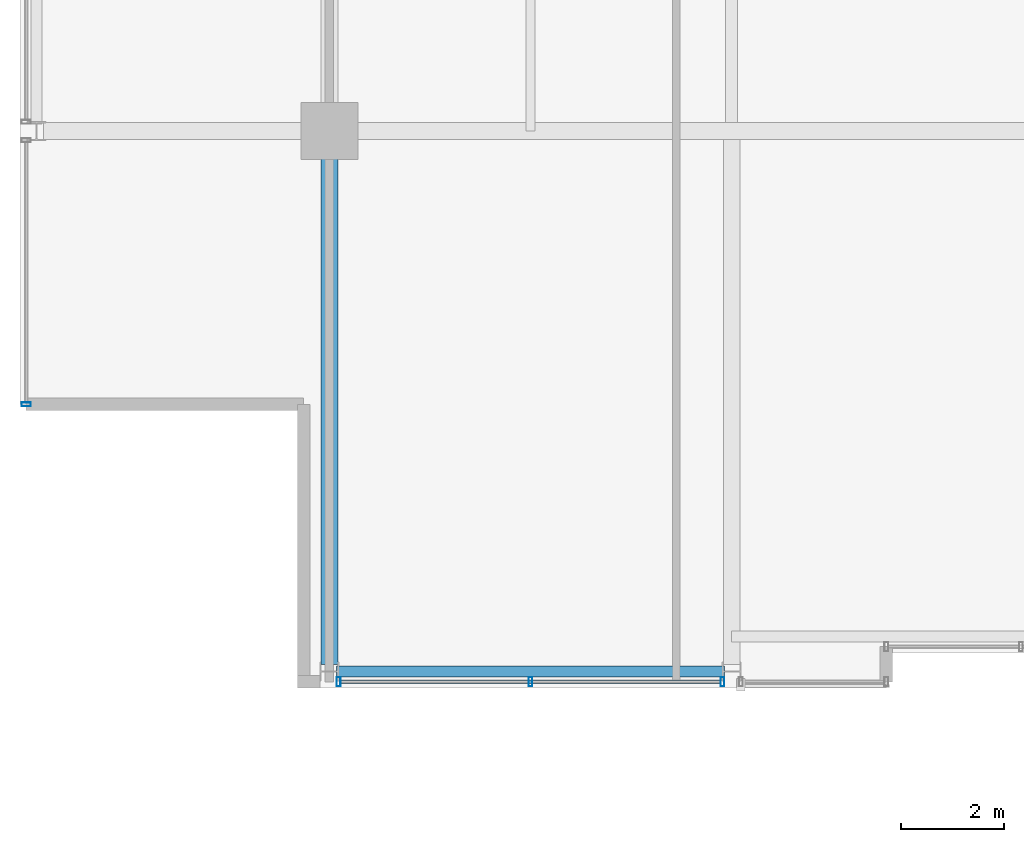
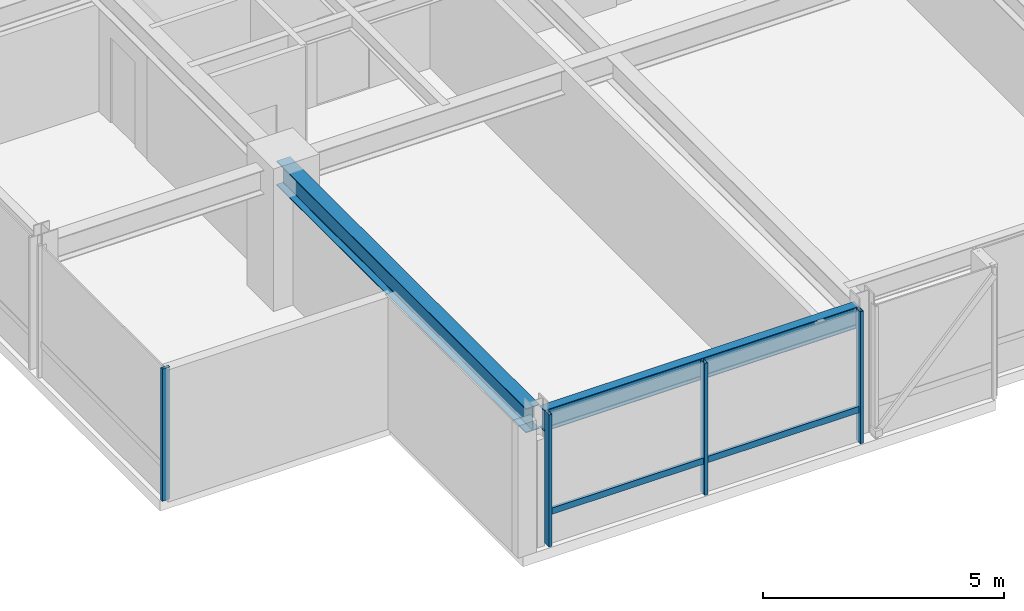
# One storey, part 3 of 32: 5 members, 2 beams, 2 elements without a shape of their own.
"""IFC4 building model written with IfcOpenShell, lengths in metres."""

from ifc_helpers import new_model, si_unit, direction, frame, origin, origin_2d, place, context, subcontext, project, spatial, hollow_rectangle, i_section, extrude, material, layer, layer_set, material_profile, profile_set, type_object, element, aggregate, save


model = new_model("IFC4")

# Units and contexts
model_context = context("Model", 3, precision=1e-05, world=origin(), true_north=direction((0.0, 1.0)))
body_context = subcontext(model_context, "Body", "Model", "MODEL_VIEW")
ifc_project = project(units=[si_unit("LENGTHUNIT", "METRE"), si_unit("AREAUNIT", "SQUARE_METRE"), si_unit("VOLUMEUNIT", "CUBIC_METRE"), si_unit("PLANEANGLEUNIT", "RADIAN"), si_unit("MASSUNIT", "GRAM", prefix="KILO")], contexts=[model_context])

# Site, building, storey
site_placement = place(None, origin())
site = spatial("IfcSite", under=ifc_project, at=site_placement, CompositionType="ELEMENT")
building_placement = place(site_placement, origin())
building = spatial("IfcBuilding", under=site, at=building_placement, Name="Drelvath Grand Hotel", CompositionType="ELEMENT")
storey_placement = place(building_placement, frame((0.0, 0.0, 237.5)))
storey = spatial("IfcBuildingStorey", under=building, at=storey_placement, Name="L62", CompositionType="ELEMENT", Elevation=237.5)

# Curtain wall, member
ifc_material_1 = material(Name="Platinum-Mist Anodised Aluminium Frame", Category="aluminium")
ifc_layer = layer(ifc_material_1, 0.199951171875)
ifc_layer_set = layer_set([ifc_layer], Name="Platinum-Mist Anodised Aluminium Frame")
curtain_wall_type = type_object("IfcCurtainWallType", Name="Stick Curtain Wall CW-05 Platinum Mist High-Rise", PredefinedType="NOTDEFINED", material=ifc_layer_set)
curtain_wall_1_placement = place(storey_placement, origin())
curtain_wall_1 = element("IfcCurtainWall", 1, at=curtain_wall_1_placement, inside=storey, type_object=curtain_wall_type, Name="L62 CW-05 Curtain Wall CW05-L62-SW2", PredefinedType="NOTDEFINED")
ifc_material_profile_1 = material_profile(ifc_material_1, hollow_rectangle(XDim=0.06494140625, YDim=0.159912109375, WallThickness=0.00390625, at=origin_2d()), Name="HSS160X65X4")
ifc_profile_set_1 = profile_set([ifc_material_profile_1], Name="Platinum-Mist Anodised Aluminium Frame")
member_type_1 = type_object("IfcMemberType", Name="Curtain Wall Horizontal Transom CW-05 HSS160X65X4", PredefinedType="USERDEFINED", material=ifc_profile_set_1)
member_1_placement = place(storey_placement, frame((-8.6181640625, 0.1201171875, 0.8349609375), z_axis=(-1.0, 0.0, 0.0), x_axis=(0.0, -1.0, 0.0)))
member_1 = element("IfcMember", 2, at=member_1_placement, type_object=member_type_1, Name="CW05-L62-SW2 Sill Transom", ObjectType="TRANSOM", PredefinedType="USERDEFINED", context=body_context, shape_type="SweptSolid", body=[
    extrude(hollow_rectangle(XDim=0.06494140625, YDim=0.159912109375, WallThickness=0.00390625, at=origin_2d()), origin(), (0.0, 0.0, 1.0), 7.363525390625),
])

curtain_wall_2_placement = place(storey_placement, origin())
curtain_wall_2 = element("IfcCurtainWall", 3, at=curtain_wall_2_placement, inside=storey, type_object=curtain_wall_type, Name="L62 CW-05 Curtain Wall CW05-L62-WS1", PredefinedType="NOTDEFINED")
ifc_material_profile_2 = material_profile(ifc_material_1, hollow_rectangle(XDim=0.074951171875, YDim=0.179931640625, WallThickness=0.0048828125, at=origin_2d()), Name="HSS180X75X5")
ifc_profile_set_2 = profile_set([ifc_material_profile_2], Name="Platinum-Mist Anodised Aluminium Frame")
member_type_2 = type_object("IfcMemberType", Name="Curtain Wall Vertical Mullion CW-05 HSS180X75X5", PredefinedType="MULLION", material=ifc_profile_set_2)
member_2_placement = place(storey_placement, frame((-22.080078125, 5.5, 0.0), z_axis=(0.0, 0.0, 1.0), x_axis=(0.0, 1.0, 0.0)))
member_2 = element("IfcMember", 4, at=member_2_placement, type_object=member_type_2, Name="CW05-L62-WS1 Mullion 1", PredefinedType="MULLION", context=body_context, shape_type="SweptSolid", body=[
    extrude(hollow_rectangle(XDim=0.074951171875, YDim=0.179931640625, WallThickness=0.0048828125, at=origin_2d()), origin(), (0.0, 0.0, 1.0), 3.340087890625),
])
aggregate(curtain_wall_2, [member_2])

# Member
member_3_placement = place(storey_placement, frame((-8.578125, 0.1201171875, 0.0), z_axis=(0.0, 0.0, 1.0), x_axis=(1.0, 0.0, 0.0)))
member_3 = element("IfcMember", 5, at=member_3_placement, type_object=member_type_2, Name="CW05-L62-SW2 Mullion 1", PredefinedType="MULLION", context=body_context, shape_type="SweptSolid", body=[
    extrude(hollow_rectangle(XDim=0.074951171875, YDim=0.179931640625, WallThickness=0.0048828125, at=origin_2d()), origin(), (0.0, 0.0, 1.0), 3.340087890625),
])

member_4_placement = place(storey_placement, frame((-12.300048828125, 0.1201171875, 0.0), z_axis=(0.0, 0.0, 1.0), x_axis=(1.0, 0.0, 0.0)))
member_4 = element("IfcMember", 6, at=member_4_placement, type_object=member_type_2, Name="CW05-L62-SW2 Mullion 2", PredefinedType="MULLION", context=body_context, shape_type="SweptSolid", body=[
    extrude(hollow_rectangle(XDim=0.074951171875, YDim=0.179931640625, WallThickness=0.0048828125, at=origin_2d()), origin(), (0.0, 0.0, 1.0), 3.340087890625),
])

member_5_placement = place(storey_placement, frame((-16.021728515625, 0.1201171875, 0.0), z_axis=(0.0, 0.0, 1.0), x_axis=(1.0, 0.0, 0.0)))
member_5 = element("IfcMember", 7, at=member_5_placement, type_object=member_type_2, Name="CW05-L62-SW2 Mullion 3", PredefinedType="MULLION", context=body_context, shape_type="SweptSolid", body=[
    extrude(hollow_rectangle(XDim=0.074951171875, YDim=0.179931640625, WallThickness=0.0048828125, at=origin_2d()), origin(), (0.0, 0.0, 1.0), 3.340087890625),
])

aggregate(curtain_wall_1, [member_3, member_4, member_5, member_1])

# Beams
ifc_material_2 = material(Name="Steel ASTM A992 Gr 50", Category="steel")
ifc_material_profile_3 = material_profile(ifc_material_2, i_section(OverallWidth=0.210205078125, OverallDepth=0.53662109375, WebThickness=0.010986328125, FlangeThickness=0.017333984375, FilletRadius=0.01806640625, at=origin_2d()), Name="W21X68")
ifc_profile_set_3 = profile_set([ifc_material_profile_3], Name="Steel ASTM A992 Gr 50")
beam_type_1 = type_object("IfcBeamType", Name="Perimeter Spandrel Beam W21X68", PredefinedType="SPANDREL", material=ifc_profile_set_3)
beam_1_placement = place(storey_placement, frame((-16.06005859375, 0.320068359375, 3.07177734375), z_axis=(1.0, 0.0, 0.0), x_axis=(0.0, 1.0, 0.0)))
element("IfcBeam", 8, at=beam_1_placement, inside=storey, type_object=beam_type_1, Name="L62 Spandrel South W", PredefinedType="SPANDREL", context=body_context, shape_type="SweptSolid", body=[
    extrude(i_section(OverallWidth=0.210205078125, OverallDepth=0.53662109375, WebThickness=0.010986328125, FlangeThickness=0.017333984375, FilletRadius=0.01806640625, at=origin_2d()), origin(), (0.0, 0.0, 1.0), 7.52001953125),
])
ifc_material_profile_4 = material_profile(ifc_material_2, i_section(OverallWidth=0.323974609375, OverallDepth=0.611083984375, WebThickness=0.0126953125, FlangeThickness=0.01904296875, FilletRadius=0.02197265625, at=origin_2d()), Name="W24X104")
ifc_profile_set_4 = profile_set([ifc_material_profile_4], Name="Steel ASTM A992 Gr 50")
beam_type_2 = type_object("IfcBeamType", Name="Primary Floor Girder W24X104", PredefinedType="BEAM", material=ifc_profile_set_4)
beam_2_placement = place(storey_placement, frame((-16.199951171875, 0.4599609375, 3.034423828125), z_axis=(0.0, 1.0, 0.0), x_axis=(-1.0, 0.0, 0.0)))
element("IfcBeam", 9, at=beam_2_placement, inside=storey, type_object=beam_type_2, Name="L62 South Grid Girder 3", PredefinedType="BEAM", context=body_context, shape_type="SweptSolid", body=[
    extrude(i_section(OverallWidth=0.323974609375, OverallDepth=0.611083984375, WebThickness=0.0126953125, FlangeThickness=0.01904296875, FilletRadius=0.02197265625, at=origin_2d()), origin(), (0.0, 0.0, 1.0), 10.340087890625),
])

save(model, "model.ifc")
